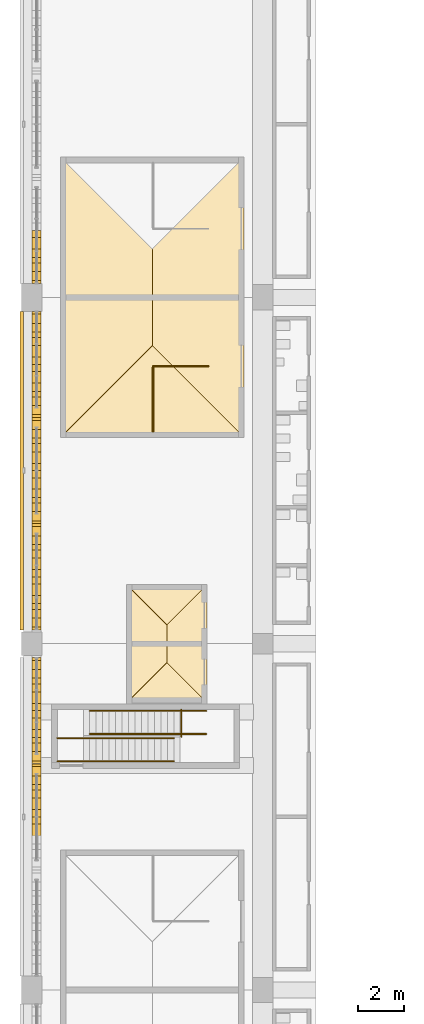
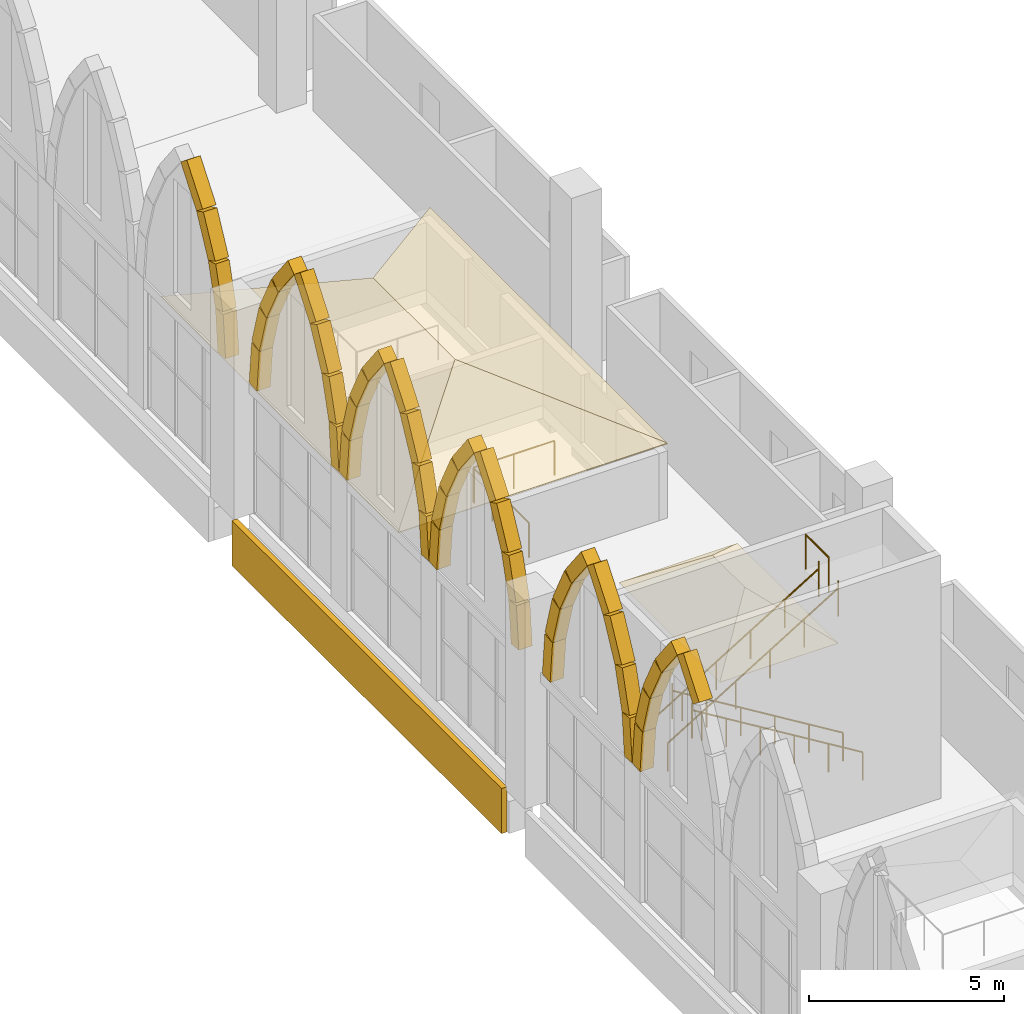
# One storey, part 110 of 130: 49 coverings, 7 railings.
"""IFC4 building model written with IfcOpenShell, lengths in metres."""

from ifc_helpers import new_model, si_unit, direction, frame, origin, origin_2d, place, context, subcontext, project, spatial, polyline, rectangle, circle, outline, extrude, material, layer, layer_set, material_profile, profile_set, type_object, element, save


model = new_model("IFC4")

# Units and contexts
model_context = context("Model", 3, precision=1e-05, world=origin(), true_north=direction((0.0, 1.0)))
body_context = subcontext(model_context, "Body", "Model", "MODEL_VIEW")
ifc_project = project(units=[si_unit("LENGTHUNIT", "METRE"), si_unit("AREAUNIT", "SQUARE_METRE"), si_unit("VOLUMEUNIT", "CUBIC_METRE"), si_unit("PLANEANGLEUNIT", "RADIAN"), si_unit("MASSUNIT", "GRAM", prefix="KILO")], contexts=[model_context])

# Site, building, storey
site_placement = place(None, origin())
site = spatial("IfcSite", under=ifc_project, at=site_placement, CompositionType="ELEMENT")
building_placement = place(site_placement, origin())
building = spatial("IfcBuilding", under=site, at=building_placement, Name="Ogive Plaza Stadium", CompositionType="ELEMENT")
storey_placement = place(building_placement, frame((0.0, 0.0, 22.5)))
storey = spatial("IfcBuildingStorey", under=building, at=storey_placement, Name="L05", CompositionType="ELEMENT", Elevation=22.5)

# Railings
ifc_material_1 = material(Name="Steel ASTM A572 Grade 50", Category="steel")
railing_type_1 = type_object("IfcRailingType", Name="Guard 1100", PredefinedType="GUARDRAIL", material=ifc_material_1)
railing_1_placement = place(storey_placement, frame((-76.35009765625, 19.52490234375, 0.0)))
element("IfcRailing", 1, at=railing_1_placement, inside=storey, type_object=railing_type_1, Name="Stair well guard ST26B L05", PredefinedType="GUARDRAIL", context=body_context, shape_type="SweptSolid", body=[
    extrude(circle(Radius=0.02392578125, at=origin_2d()), frame((0.0, 0.0, 1.076171875), z_axis=(-1.0, 0.0, 0.0), x_axis=(0.0, -1.0, 0.0)), (0.0, 0.0, 1.0), 2.39990234375),
    extrude(circle(Radius=0.02099609375, at=origin_2d()), origin(), (0.0, 0.0, 1.0), 1.052001953125),
    extrude(circle(Radius=0.02099609375, at=origin_2d()), frame((-1.199951171875, 0.0, 0.0)), (0.0, 0.0, 1.0), 1.052001953125),
    extrude(circle(Radius=0.02099609375, at=origin_2d()), frame((-2.39990234375, 0.0, 0.0)), (0.0, 0.0, 1.0), 1.052001953125),
])
railing_2_placement = place(storey_placement, frame((-78.75, 19.47509765625, 0.0)))
element("IfcRailing", 2, at=railing_2_placement, inside=storey, type_object=railing_type_1, Name="Stair guard ST26B L05", PredefinedType="GUARDRAIL", context=body_context, shape_type="SweptSolid", body=[
    extrude(circle(Radius=0.02392578125, at=origin_2d()), frame((0.0, 0.0, 1.076171875), z_axis=(0.0, -1.0, 0.0), x_axis=(1.0, 0.0, 0.0)), (0.0, 0.0, 1.0), 2.800048828125),
    extrude(circle(Radius=0.02099609375, at=origin_2d()), origin(), (0.0, 0.0, 1.0), 1.052001953125),
    extrude(circle(Radius=0.02099609375, at=origin_2d()), frame((0.0, -0.933349609375, 0.0)), (0.0, 0.0, 1.0), 1.052001953125),
    extrude(circle(Radius=0.02099609375, at=origin_2d()), frame((0.0, -1.86669921875, 0.0)), (0.0, 0.0, 1.0), 1.052001953125),
    extrude(circle(Radius=0.02099609375, at=origin_2d()), frame((0.0, -2.800048828125, 0.0)), (0.0, 0.0, 1.0), 1.052001953125),
])
railing_3_placement = place(storey_placement, frame((-77.52001953125, 4.64990234375, 6.5)))
element("IfcRailing", 3, at=railing_3_placement, inside=storey, type_object=railing_type_1, Name="Roof access stair RA2 platform guard", PredefinedType="GUARDRAIL", context=body_context, shape_type="SweptSolid", body=[
    extrude(circle(Radius=0.02392578125, at=origin_2d()), frame((0.0, 0.0, 1.076171875), z_axis=(0.0, -1.0, 0.0), x_axis=(1.0, 0.0, 0.0)), (0.0, 0.0, 1.0), 1.179931640625),
    extrude(circle(Radius=0.02099609375, at=origin_2d()), origin(), (0.0, 0.0, 1.0), 1.052001953125),
    extrude(circle(Radius=0.02099609375, at=origin_2d()), frame((0.0, -1.179931640625, 0.0)), (0.0, 0.0, 1.0), 1.052001953125),
])
ifc_material_2 = material(Name="Steel ASTM A572 Grade 50", Category="steel")
railing_type_2 = type_object("IfcRailingType", Name="Handrail 900", PredefinedType="HANDRAIL", material=ifc_material_2)
for number, where, name in (
    (4, (-76.449951171875, 4.590087890625, 0.171142578125), "Handrail RA2 L05"),
    (5, (-76.449951171875, 3.590087890625, 0.171142578125), "Handrail RA2 L05"),
):
    element("IfcRailing", number, at=place(storey_placement, frame(where)), inside=storey, type_object=railing_type_2, Name=name, PredefinedType="HANDRAIL", context=body_context, shape_type="SweptSolid", body=[
        extrude(circle(Radius=0.02392578125, at=origin_2d()), frame((0.0, 0.0, 0.8759765625), z_axis=(-0.853369698388, 0.0, 0.521306203564), x_axis=(0.0, -1.0, 0.0)), (0.0, 0.0, 1.0), 5.906005859375),
        extrude(circle(Radius=0.02099609375, at=origin_2d()), origin(), (0.0, 0.0, 1.0), 0.851806640625),
        extrude(circle(Radius=0.02099609375, at=origin_2d()), frame((-1.008056640625, 0.0, 0.61572265625)), (0.0, 0.0, 1.0), 0.851806640625),
        extrude(circle(Radius=0.02099609375, at=origin_2d()), frame((-2.01611328125, 0.0, 1.2314453125)), (0.0, 0.0, 1.0), 0.851806640625),
        extrude(circle(Radius=0.02099609375, at=origin_2d()), frame((-3.02392578125, 0.0, 1.847412109375)), (0.0, 0.0, 1.0), 0.851806640625),
        extrude(circle(Radius=0.02099609375, at=origin_2d()), frame((-4.031982421875, 0.0, 2.463134765625)), (0.0, 0.0, 1.0), 0.851806640625),
        extrude(circle(Radius=0.02099609375, at=origin_2d()), frame((-5.0400390625, 0.0, 3.078857421875)), (0.0, 0.0, 1.0), 1.10009765625),
    ])
for number, where, name in (
    (6, (-82.889892578125, 3.409912109375, 3.421142578125), "Handrail RA2 L05"),
    (7, (-82.889892578125, 2.409912109375, 3.421142578125), "Handrail RA2 L05"),
):
    element("IfcRailing", number, at=place(storey_placement, frame(where)), inside=storey, type_object=railing_type_2, Name=name, PredefinedType="HANDRAIL", context=body_context, shape_type="SweptSolid", body=[
        extrude(circle(Radius=0.02392578125, at=origin_2d()), frame((0.0, 0.0, 0.8759765625), z_axis=(0.853358463929, 0.0, 0.521324593742), x_axis=(0.0, 1.0, 0.0)), (0.0, 0.0, 1.0), 5.90576171875),
        extrude(circle(Radius=0.02099609375, at=origin_2d()), origin(), (0.0, 0.0, 1.0), 0.851806640625),
        extrude(circle(Radius=0.02099609375, at=origin_2d()), frame((1.008056640625, 0.0, 0.61572265625)), (0.0, 0.0, 1.0), 0.851806640625),
        extrude(circle(Radius=0.02099609375, at=origin_2d()), frame((2.015869140625, 0.0, 1.2314453125)), (0.0, 0.0, 1.0), 0.851806640625),
        extrude(circle(Radius=0.02099609375, at=origin_2d()), frame((3.02392578125, 0.0, 1.847412109375)), (0.0, 0.0, 1.0), 0.851806640625),
        extrude(circle(Radius=0.02099609375, at=origin_2d()), frame((4.03173828125, 0.0, 2.463134765625)), (0.0, 0.0, 1.0), 0.851806640625),
        extrude(circle(Radius=0.02099609375, at=origin_2d()), frame((5.039794921875, 0.0, 3.078857421875)), (0.0, 0.0, 1.0), 1.10009765625),
    ])

# Coverings
ifc_material_3 = material(Name="Zinc sheet", Category="metal")
ifc_layer_1 = layer(ifc_material_3, 0.030029296875)
ifc_layer_set_1 = layer_set([ifc_layer_1], Name="Overrun roof zinc 30")
covering_type_1 = type_object("IfcCoveringType", Name="Overrun roof zinc 30", PredefinedType="ROOFING", material=ifc_layer_set_1)
covering_1_placement = place(storey_placement, frame((-79.89990234375, 10.074951171875, 3.6240234375), z_axis=(-0.596338434259, 0.0, 0.802733126154), x_axis=(0.0, -1.0, 0.0)))
element("IfcCovering", 8, at=covering_1_placement, inside=storey, type_object=covering_type_1, Name="Lift overrun roof facet LP25 1", PredefinedType="ROOFING", context=body_context, shape_type="SweptSolid", body=[
    extrude(outline(polyline([(0.0, 0.0), (5.14990234375, 0.0), (3.39990234375, 2.1800520533944105), (1.75, 2.1800520533944105), (0.0, 0.0)])), origin(), (0.0, 0.0, -1.0), 0.030029296875),
])
covering_2_placement = place(storey_placement, frame((-79.89990234375, 4.925048828125, 3.6240234375), z_axis=(0.0, -0.596338434259, 0.802733126154), x_axis=(1.0, 0.0, 0.0)))
element("IfcCovering", 9, at=covering_2_placement, inside=storey, type_object=covering_type_1, Name="Lift overrun roof facet LP25 2", PredefinedType="ROOFING", context=body_context, shape_type="SweptSolid", body=[
    extrude(outline(polyline([(0.0, 0.0), (3.5, 0.0), (1.75, 2.1800520533944105), (0.0, 0.0)])), origin(), (0.0, 0.0, -1.0), 0.030029296875),
])
covering_3_placement = place(storey_placement, frame((-76.39990234375, 4.925048828125, 3.6240234375), z_axis=(0.596338434259, 0.0, 0.802733126154), x_axis=(0.0, 1.0, 0.0)))
element("IfcCovering", 10, at=covering_3_placement, inside=storey, type_object=covering_type_1, Name="Lift overrun roof facet LP25 3", PredefinedType="ROOFING", context=body_context, shape_type="SweptSolid", body=[
    extrude(outline(polyline([(0.0, 0.0), (5.14990234375, 0.0), (3.39990234375, 2.1800520533944105), (1.75, 2.1800520533944105), (0.0, 0.0)])), origin(), (0.0, 0.0, -1.0), 0.030029296875),
])
covering_4_placement = place(storey_placement, frame((-76.39990234375, 10.074951171875, 3.6240234375), z_axis=(0.0, 0.596338434259, 0.802733126154), x_axis=(-1.0, 0.0, 0.0)))
element("IfcCovering", 11, at=covering_4_placement, inside=storey, type_object=covering_type_1, Name="Lift overrun roof facet LP25 4", PredefinedType="ROOFING", context=body_context, shape_type="SweptSolid", body=[
    extrude(outline(polyline([(0.0, 0.0), (3.5, 0.0), (1.75, 2.1800520533944105), (0.0, 0.0)])), origin(), (0.0, 0.0, -1.0), 0.030029296875),
])
ifc_material_4 = material(Name="Cast stone (reconstituted limestone)", Category="masonry")
ifc_material_profile = material_profile(ifc_material_4, rectangle(XDim=0.39990234375, YDim=0.39990234375, at=origin_2d()), Name="Cast stone 400x400")
ifc_profile_set = profile_set([ifc_material_profile], Name="Cast stone (reconstituted limestone)")
covering_type_2 = type_object("IfcCoveringType", Name="Precast arch rib 400x400", PredefinedType="MOLDING", material=ifc_profile_set)
for number, where, z_axis, x_axis, name in (
    (12, (-83.800048828125, -0.966796875, 7.979736328125), (0.0, 0.612915463399, 0.790148489036), (-1.0, 0.0, 0.0), "ARCH RIB B24 2.4"),
    (13, (-83.800048828125, 0.157958984375, 9.0224609375), (0.0, 0.612915463399, -0.790148489036), (-1.0, 0.0, 0.0), "ARCH RIB B24 2.5"),
):
    element("IfcCovering", number, at=place(storey_placement, frame(where, z_axis=z_axis, x_axis=x_axis)), inside=storey, type_object=covering_type_2, Name=name, PredefinedType="MOLDING", context=body_context, shape_type="SweptSolid", body=[
        extrude(rectangle(XDim=0.39990234375, YDim=0.39990234375, at=origin_2d()), origin(), (0.0, 0.0, 1.0), 1.319580078125),
    ])
covering_5_placement = place(storey_placement, frame((-83.800048828125, 0.98681640625, 7.947998046875), z_axis=(0.0, 0.453934094395, -0.891035261898), x_axis=(-1.0, 0.0, 0.0)))
element("IfcCovering", 14, at=covering_5_placement, inside=storey, type_object=covering_type_2, Name="ARCH RIB B24 2.6", PredefinedType="MOLDING", context=body_context, shape_type="SweptSolid", body=[
    extrude(rectangle(XDim=0.39990234375, YDim=0.39990234375, at=origin_2d()), origin(), (0.0, 0.0, 1.0), 1.31982421875),
])
for number, where, z_axis, x_axis, name in (
    (15, (-83.800048828125, 1.599853515625, 6.737060546875), (0.0, 0.278799187003, -0.960349422516), (-1.0, 0.0, 0.0), "ARCH RIB B24 2.7"),
    (16, (-83.800048828125, 1.974853515625, 5.4326171875), (0.0, 0.094171713154, -0.995555969517), (-1.0, 0.0, 0.0), "ARCH RIB B24 2.8"),
    (17, (-83.800048828125, 2.5009765625, 4.118896484375), (0.0, 0.093988335931, 0.995573298511), (-1.0, 0.0, 0.0), "ARCH RIB B24 3.1"),
):
    element("IfcCovering", number, at=place(storey_placement, frame(where, z_axis=z_axis, x_axis=x_axis)), inside=storey, type_object=covering_type_2, Name=name, PredefinedType="MOLDING", context=body_context, shape_type="SweptSolid", body=[
        extrude(rectangle(XDim=0.39990234375, YDim=0.39990234375, at=origin_2d()), origin(), (0.0, 0.0, 1.0), 1.319580078125),
    ])
for number, where, z_axis, x_axis, name in (
    (18, (-83.800048828125, 2.632080078125, 5.4697265625), (0.0, 0.2789697965, 0.960299876414), (-1.0, 0.0, 0.0), "ARCH RIB B24 3.2"),
    (19, (-83.800048828125, 3.01416015625, 6.77197265625), (0.0, 0.453787214374, 0.891110074048), (-1.0, 0.0, 0.0), "ARCH RIB B24 3.3"),
):
    element("IfcCovering", number, at=place(storey_placement, frame(where, z_axis=z_axis, x_axis=x_axis)), inside=storey, type_object=covering_type_2, Name=name, PredefinedType="MOLDING", context=body_context, shape_type="SweptSolid", body=[
        extrude(rectangle(XDim=0.39990234375, YDim=0.39990234375, at=origin_2d()), origin(), (0.0, 0.0, 1.0), 1.31982421875),
    ])
for number, where, z_axis, x_axis, name in (
    (20, (-83.800048828125, 3.63330078125, 7.979736328125), (0.0, 0.612799939872, 0.790238086713), (-1.0, 0.0, 0.0), "ARCH RIB B24 3.4"),
    (21, (-83.800048828125, 4.758056640625, 9.0224609375), (0.0, 0.612799939872, -0.790238086713), (-1.0, 0.0, 0.0), "ARCH RIB B24 3.5"),
):
    element("IfcCovering", number, at=place(storey_placement, frame(where, z_axis=z_axis, x_axis=x_axis)), inside=storey, type_object=covering_type_2, Name=name, PredefinedType="MOLDING", context=body_context, shape_type="SweptSolid", body=[
        extrude(rectangle(XDim=0.39990234375, YDim=0.39990234375, at=origin_2d()), origin(), (0.0, 0.0, 1.0), 1.319580078125),
    ])
for number, where, z_axis, x_axis, name in (
    (22, (-83.800048828125, 5.5869140625, 7.947998046875), (0.0, 0.453934094395, -0.891035261898), (-1.0, 0.0, 0.0), "ARCH RIB B24 3.6"),
    (23, (-83.800048828125, 6.19970703125, 6.737060546875), (0.0, 0.2789697965, -0.960299876414), (-1.0, 0.0, 0.0), "ARCH RIB B24 3.7"),
):
    element("IfcCovering", number, at=place(storey_placement, frame(where, z_axis=z_axis, x_axis=x_axis)), inside=storey, type_object=covering_type_2, Name=name, PredefinedType="MOLDING", context=body_context, shape_type="SweptSolid", body=[
        extrude(rectangle(XDim=0.39990234375, YDim=0.39990234375, at=origin_2d()), origin(), (0.0, 0.0, 1.0), 1.31982421875),
    ])
for number, where, z_axis, x_axis, name in (
    (24, (-83.800048828125, 6.574951171875, 5.4326171875), (0.0, 0.094171713154, -0.995555969517), (-1.0, 0.0, 0.0), "ARCH RIB B24 3.8"),
    (25, (-83.800048828125, 8.30078125, 4.118896484375), (0.0, 0.094171713154, 0.995555969517), (-1.0, 0.0, 0.0), "ARCH RIB B25 1.1"),
):
    element("IfcCovering", number, at=place(storey_placement, frame(where, z_axis=z_axis, x_axis=x_axis)), inside=storey, type_object=covering_type_2, Name=name, PredefinedType="MOLDING", context=body_context, shape_type="SweptSolid", body=[
        extrude(rectangle(XDim=0.39990234375, YDim=0.39990234375, at=origin_2d()), origin(), (0.0, 0.0, 1.0), 1.319580078125),
    ])
for number, where, z_axis, x_axis, name in (
    (26, (-83.800048828125, 8.43212890625, 5.4697265625), (0.0, 0.2789697965, 0.960299876414), (-1.0, 0.0, 0.0), "ARCH RIB B25 1.2"),
    (27, (-83.800048828125, 8.81396484375, 6.77197265625), (0.0, 0.453934094395, 0.891035261898), (-1.0, 0.0, 0.0), "ARCH RIB B25 1.3"),
):
    element("IfcCovering", number, at=place(storey_placement, frame(where, z_axis=z_axis, x_axis=x_axis)), inside=storey, type_object=covering_type_2, Name=name, PredefinedType="MOLDING", context=body_context, shape_type="SweptSolid", body=[
        extrude(rectangle(XDim=0.39990234375, YDim=0.39990234375, at=origin_2d()), origin(), (0.0, 0.0, 1.0), 1.31982421875),
    ])
for number, where, z_axis, x_axis, name in (
    (28, (-83.800048828125, 9.433349609375, 7.979736328125), (0.0, 0.612799939872, 0.790238086713), (-1.0, 0.0, 0.0), "ARCH RIB B25 1.4"),
    (29, (-83.800048828125, 10.55810546875, 9.0224609375), (0.0, 0.612799939872, -0.790238086713), (-1.0, 0.0, 0.0), "ARCH RIB B25 1.5"),
):
    element("IfcCovering", number, at=place(storey_placement, frame(where, z_axis=z_axis, x_axis=x_axis)), inside=storey, type_object=covering_type_2, Name=name, PredefinedType="MOLDING", context=body_context, shape_type="SweptSolid", body=[
        extrude(rectangle(XDim=0.39990234375, YDim=0.39990234375, at=origin_2d()), origin(), (0.0, 0.0, 1.0), 1.319580078125),
    ])
for number, where, z_axis, x_axis, name in (
    (30, (-83.800048828125, 11.386962890625, 7.947998046875), (0.0, 0.453787214374, -0.891110074048), (-1.0, 0.0, 0.0), "ARCH RIB B25 1.6"),
    (31, (-83.800048828125, 11.999755859375, 6.737060546875), (0.0, 0.2789697965, -0.960299876414), (-1.0, 0.0, 0.0), "ARCH RIB B25 1.7"),
):
    element("IfcCovering", number, at=place(storey_placement, frame(where, z_axis=z_axis, x_axis=x_axis)), inside=storey, type_object=covering_type_2, Name=name, PredefinedType="MOLDING", context=body_context, shape_type="SweptSolid", body=[
        extrude(rectangle(XDim=0.39990234375, YDim=0.39990234375, at=origin_2d()), origin(), (0.0, 0.0, 1.0), 1.31982421875),
    ])
for number, where, z_axis, x_axis, name in (
    (32, (-83.800048828125, 12.375, 5.4326171875), (0.0, 0.093988335931, -0.995573298511), (-1.0, 0.0, 0.0), "ARCH RIB B25 1.8"),
    (33, (-83.800048828125, 12.90087890625, 4.118896484375), (0.0, 0.094171713154, 0.995555969517), (-1.0, 0.0, 0.0), "ARCH RIB B25 2.1"),
    (34, (-83.800048828125, 13.0322265625, 5.4697265625), (0.0, 0.278799187003, 0.960349422516), (-1.0, 0.0, 0.0), "ARCH RIB B25 2.2"),
):
    element("IfcCovering", number, at=place(storey_placement, frame(where, z_axis=z_axis, x_axis=x_axis)), inside=storey, type_object=covering_type_2, Name=name, PredefinedType="MOLDING", context=body_context, shape_type="SweptSolid", body=[
        extrude(rectangle(XDim=0.39990234375, YDim=0.39990234375, at=origin_2d()), origin(), (0.0, 0.0, 1.0), 1.319580078125),
    ])
covering_6_placement = place(storey_placement, frame((-83.800048828125, 13.4140625, 6.77197265625), z_axis=(0.0, 0.453934094395, 0.891035261898), x_axis=(-1.0, 0.0, 0.0)))
element("IfcCovering", 35, at=covering_6_placement, inside=storey, type_object=covering_type_2, Name="ARCH RIB B25 2.3", PredefinedType="MOLDING", context=body_context, shape_type="SweptSolid", body=[
    extrude(rectangle(XDim=0.39990234375, YDim=0.39990234375, at=origin_2d()), origin(), (0.0, 0.0, 1.0), 1.31982421875),
])
for number, where, z_axis, x_axis, name in (
    (36, (-83.800048828125, 14.033203125, 7.979736328125), (0.0, 0.612915463399, 0.790148489036), (-1.0, 0.0, 0.0), "ARCH RIB B25 2.4"),
    (37, (-83.800048828125, 15.157958984375, 9.0224609375), (0.0, 0.612915463399, -0.790148489036), (-1.0, 0.0, 0.0), "ARCH RIB B25 2.5"),
):
    element("IfcCovering", number, at=place(storey_placement, frame(where, z_axis=z_axis, x_axis=x_axis)), inside=storey, type_object=covering_type_2, Name=name, PredefinedType="MOLDING", context=body_context, shape_type="SweptSolid", body=[
        extrude(rectangle(XDim=0.39990234375, YDim=0.39990234375, at=origin_2d()), origin(), (0.0, 0.0, 1.0), 1.319580078125),
    ])
covering_7_placement = place(storey_placement, frame((-83.800048828125, 15.98681640625, 7.947998046875), z_axis=(0.0, 0.453934094395, -0.891035261898), x_axis=(-1.0, 0.0, 0.0)))
element("IfcCovering", 38, at=covering_7_placement, inside=storey, type_object=covering_type_2, Name="ARCH RIB B25 2.6", PredefinedType="MOLDING", context=body_context, shape_type="SweptSolid", body=[
    extrude(rectangle(XDim=0.39990234375, YDim=0.39990234375, at=origin_2d()), origin(), (0.0, 0.0, 1.0), 1.31982421875),
])
for number, where, z_axis, x_axis, name in (
    (39, (-83.800048828125, 16.599853515625, 6.737060546875), (0.0, 0.278799187003, -0.960349422516), (-1.0, 0.0, 0.0), "ARCH RIB B25 2.7"),
    (40, (-83.800048828125, 16.974853515625, 5.4326171875), (0.0, 0.094171713154, -0.995555969517), (-1.0, 0.0, 0.0), "ARCH RIB B25 2.8"),
    (41, (-83.800048828125, 17.5009765625, 4.118896484375), (0.0, 0.093988335931, 0.995573298511), (-1.0, 0.0, 0.0), "ARCH RIB B25 3.1"),
):
    element("IfcCovering", number, at=place(storey_placement, frame(where, z_axis=z_axis, x_axis=x_axis)), inside=storey, type_object=covering_type_2, Name=name, PredefinedType="MOLDING", context=body_context, shape_type="SweptSolid", body=[
        extrude(rectangle(XDim=0.39990234375, YDim=0.39990234375, at=origin_2d()), origin(), (0.0, 0.0, 1.0), 1.319580078125),
    ])
for number, where, z_axis, x_axis, name in (
    (42, (-83.800048828125, 17.632080078125, 5.4697265625), (0.0, 0.2789697965, 0.960299876414), (-1.0, 0.0, 0.0), "ARCH RIB B25 3.2"),
    (43, (-83.800048828125, 18.01416015625, 6.77197265625), (0.0, 0.453787214374, 0.891110074048), (-1.0, 0.0, 0.0), "ARCH RIB B25 3.3"),
):
    element("IfcCovering", number, at=place(storey_placement, frame(where, z_axis=z_axis, x_axis=x_axis)), inside=storey, type_object=covering_type_2, Name=name, PredefinedType="MOLDING", context=body_context, shape_type="SweptSolid", body=[
        extrude(rectangle(XDim=0.39990234375, YDim=0.39990234375, at=origin_2d()), origin(), (0.0, 0.0, 1.0), 1.31982421875),
    ])
for number, where, z_axis, x_axis, name in (
    (44, (-83.800048828125, 18.63330078125, 7.979736328125), (0.0, 0.612799939872, 0.790238086713), (-1.0, 0.0, 0.0), "ARCH RIB B25 3.4"),
    (45, (-83.800048828125, 19.758056640625, 9.0224609375), (0.0, 0.612799939872, -0.790238086713), (-1.0, 0.0, 0.0), "ARCH RIB B25 3.5"),
):
    element("IfcCovering", number, at=place(storey_placement, frame(where, z_axis=z_axis, x_axis=x_axis)), inside=storey, type_object=covering_type_2, Name=name, PredefinedType="MOLDING", context=body_context, shape_type="SweptSolid", body=[
        extrude(rectangle(XDim=0.39990234375, YDim=0.39990234375, at=origin_2d()), origin(), (0.0, 0.0, 1.0), 1.319580078125),
    ])
for number, where, z_axis, x_axis, name in (
    (46, (-83.800048828125, 20.5869140625, 7.947998046875), (0.0, 0.453934094395, -0.891035261898), (-1.0, 0.0, 0.0), "ARCH RIB B25 3.6"),
    (47, (-83.800048828125, 21.19970703125, 6.737060546875), (0.0, 0.2789697965, -0.960299876414), (-1.0, 0.0, 0.0), "ARCH RIB B25 3.7"),
):
    element("IfcCovering", number, at=place(storey_placement, frame(where, z_axis=z_axis, x_axis=x_axis)), inside=storey, type_object=covering_type_2, Name=name, PredefinedType="MOLDING", context=body_context, shape_type="SweptSolid", body=[
        extrude(rectangle(XDim=0.39990234375, YDim=0.39990234375, at=origin_2d()), origin(), (0.0, 0.0, 1.0), 1.31982421875),
    ])
for number, where, z_axis, x_axis, name in (
    (48, (-83.800048828125, 21.574951171875, 5.4326171875), (0.0, 0.094171713154, -0.995555969517), (-1.0, 0.0, 0.0), "ARCH RIB B25 3.8"),
    (49, (-83.800048828125, 23.30078125, 4.118896484375), (0.0, 0.094171713154, 0.995555969517), (-1.0, 0.0, 0.0), "ARCH RIB B26 1.1"),
):
    element("IfcCovering", number, at=place(storey_placement, frame(where, z_axis=z_axis, x_axis=x_axis)), inside=storey, type_object=covering_type_2, Name=name, PredefinedType="MOLDING", context=body_context, shape_type="SweptSolid", body=[
        extrude(rectangle(XDim=0.39990234375, YDim=0.39990234375, at=origin_2d()), origin(), (0.0, 0.0, 1.0), 1.319580078125),
    ])
for number, where, z_axis, x_axis, name in (
    (50, (-83.800048828125, 23.43212890625, 5.4697265625), (0.0, 0.2789697965, 0.960299876414), (-1.0, 0.0, 0.0), "ARCH RIB B26 1.2"),
    (51, (-83.800048828125, 23.81396484375, 6.77197265625), (0.0, 0.453934094395, 0.891035261898), (-1.0, 0.0, 0.0), "ARCH RIB B26 1.3"),
):
    element("IfcCovering", number, at=place(storey_placement, frame(where, z_axis=z_axis, x_axis=x_axis)), inside=storey, type_object=covering_type_2, Name=name, PredefinedType="MOLDING", context=body_context, shape_type="SweptSolid", body=[
        extrude(rectangle(XDim=0.39990234375, YDim=0.39990234375, at=origin_2d()), origin(), (0.0, 0.0, 1.0), 1.31982421875),
    ])
covering_8_placement = place(storey_placement, frame((-83.800048828125, 24.433349609375, 7.979736328125), z_axis=(0.0, 0.612799939872, 0.790238086713), x_axis=(-1.0, 0.0, 0.0)))
element("IfcCovering", 52, at=covering_8_placement, inside=storey, type_object=covering_type_2, Name="ARCH RIB B26 1.4", PredefinedType="MOLDING", context=body_context, shape_type="SweptSolid", body=[
    extrude(rectangle(XDim=0.39990234375, YDim=0.39990234375, at=origin_2d()), origin(), (0.0, 0.0, 1.0), 1.319580078125),
])
ifc_material_5 = material(Name="Cast stone (reconstituted limestone)", Category="masonry")
ifc_layer_2 = layer(ifc_material_5, 0.159912109375)
ifc_layer_set_2 = layer_set([ifc_layer_2], Name="Precast spandrel cladding 160")
covering_type_3 = type_object("IfcCoveringType", Name="Precast spandrel cladding 160", PredefinedType="CLADDING", material=ifc_layer_set_2)
covering_9_placement = place(storey_placement, frame((0.0, 0.0, -1.409912109375)))
element("IfcCovering", 53, at=covering_9_placement, inside=storey, type_object=covering_type_3, Name="SPANDREL CLADDING B25 L05", PredefinedType="CLADDING", context=body_context, shape_type="SweptSolid", body=[
    extrude(outline(polyline([(-84.35009765625, 8.10009765625), (-84.35009765625, 21.89990234375), (-84.510009765625, 21.89990234375), (-84.510009765625, 8.10009765625), (-84.35009765625, 8.10009765625)])), origin(), (0.0, 0.0, 1.0), 1.409912109375),
])
ifc_material_6 = material(Name="Zinc standing seam", Category="metal")
ifc_layer_3 = layer(ifc_material_6, 0.0400390625)
ifc_layer_set_3 = layer_set([ifc_layer_3], Name="Turret roof zinc standing seam 40")
covering_type_4 = type_object("IfcCoveringType", Name="Turret roof zinc standing seam 40", PredefinedType="ROOFING", material=ifc_layer_set_3)
covering_10_placement = place(storey_placement, frame((-82.760009765625, 28.574951171875, 2.337158203125), z_axis=(-0.372970046205, 0.0, 0.927843383677), x_axis=(0.0, -1.0, 0.0)))
element("IfcCovering", 54, at=covering_10_placement, inside=storey, type_object=covering_type_4, Name="Stair core roof facet R26 1", PredefinedType="ROOFING", context=body_context, shape_type="SweptSolid", body=[
    extrude(outline(polyline([(0.0, 0.0), (12.14990234375, 0.0), (8.169921875, 4.289495984738666), (3.97998046875, 4.289495984738666), (0.0, 0.0)])), origin(), (0.0, 0.0, -1.0), 0.0400390625),
])
covering_11_placement = place(storey_placement, frame((-82.760009765625, 16.425048828125, 2.337158203125), z_axis=(0.0, -0.372970046205, 0.927843383677), x_axis=(1.0, 0.0, 0.0)))
element("IfcCovering", 55, at=covering_11_placement, inside=storey, type_object=covering_type_4, Name="Stair core roof facet R26 2", PredefinedType="ROOFING", context=body_context, shape_type="SweptSolid", body=[
    extrude(outline(polyline([(0.0, 0.0), (7.9599609375, 0.0), (3.97998046875, 4.289495984738666), (0.0, 0.0)])), origin(), (0.0, 0.0, -1.0), 0.0400390625),
])
covering_12_placement = place(storey_placement, frame((-74.800048828125, 16.425048828125, 2.337158203125), z_axis=(0.372970046205, 0.0, 0.927843383677), x_axis=(0.0, 1.0, 0.0)))
element("IfcCovering", 56, at=covering_12_placement, inside=storey, type_object=covering_type_4, Name="Stair core roof facet R26 3", PredefinedType="ROOFING", context=body_context, shape_type="SweptSolid", body=[
    extrude(outline(polyline([(0.0, 0.0), (12.14990234375, 0.0), (8.169921875, 4.289495984738666), (3.97998046875, 4.289495984738666), (0.0, 0.0)])), origin(), (0.0, 0.0, -1.0), 0.0400390625),
])

save(model, "model.ifc")
